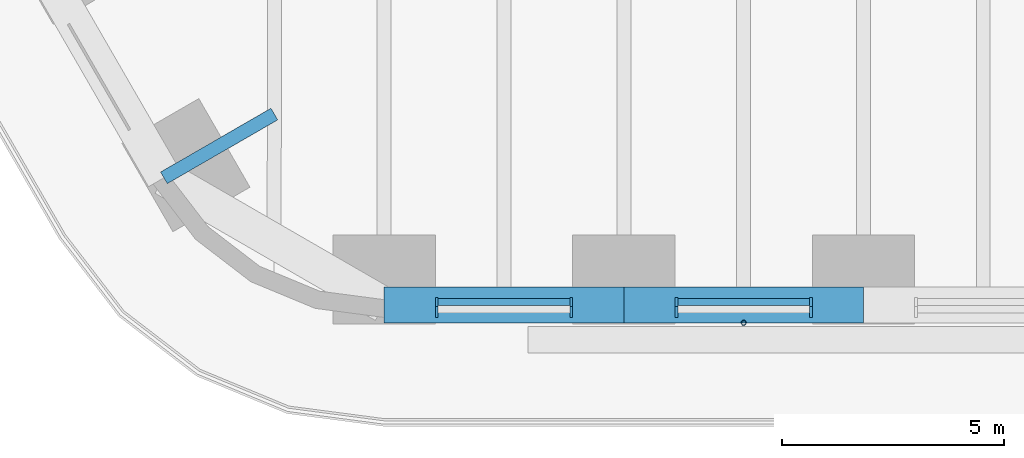
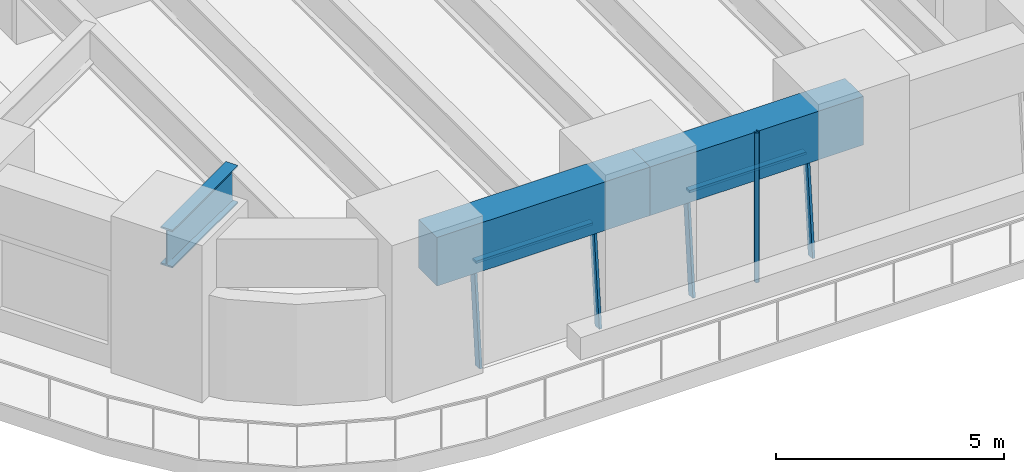
# One storey, part 2 of 23: 7 members, 3 beams, 2 elements without a shape of their own.
"""IFC4 building model written with IfcOpenShell, lengths in metres."""

from ifc_helpers import new_model, si_unit, direction, frame, origin, origin_2d, place, context, subcontext, project, spatial, rectangle, hollow_circle, i_section, extrude, material, material_profile, profile_set, type_object, element, aggregate, save


model = new_model("IFC4")

# Units and contexts
model_context = context("Model", 3, precision=1e-05, world=origin(), true_north=direction((0.0, 1.0)))
body_context = subcontext(model_context, "Body", "Model", "MODEL_VIEW")
ifc_project = project(units=[si_unit("LENGTHUNIT", "METRE"), si_unit("AREAUNIT", "SQUARE_METRE"), si_unit("VOLUMEUNIT", "CUBIC_METRE"), si_unit("PLANEANGLEUNIT", "RADIAN"), si_unit("MASSUNIT", "GRAM", prefix="KILO")], contexts=[model_context])

# Site, building, storey
site_placement = place(None, origin())
site = spatial("IfcSite", under=ifc_project, at=site_placement, CompositionType="ELEMENT")
building_placement = place(site_placement, origin())
building = spatial("IfcBuilding", under=site, at=building_placement, Name="Tarfa Lantern Tower", CompositionType="ELEMENT")
storey_placement = place(building_placement, frame((0.0, 0.0, 27.699951171875)))
storey = spatial("IfcBuildingStorey", under=building, at=storey_placement, Name="L05", CompositionType="ELEMENT", Elevation=27.699951171875)

# Curtain wall, members
ifc_material_1 = material(Name="Aluminium framed curtain wall", Category="aluminium")
curtain_wall_type = type_object("IfcCurtainWallType", Name="CW1 CANTED GLAZING LOW ZONE 2700", PredefinedType="USERDEFINED", material=ifc_material_1)
curtain_wall_1_placement = place(storey_placement, origin())
curtain_wall_1 = element("IfcCurtainWall", 1, at=curtain_wall_1_placement, inside=storey, type_object=curtain_wall_type, Name="CW1 S L05", ObjectType="CURTAIN WALL", PredefinedType="USERDEFINED")
ifc_material_2 = material(Name="Aluminium mullion", Category="aluminium")
ifc_material_profile_1 = material_profile(ifc_material_2, rectangle(XDim=0.06494140625, YDim=0.199951171875, at=origin_2d()), Name="AL MULLION 65x200")
ifc_profile_set_1 = profile_set([ifc_material_profile_1], Name="Aluminium mullion")
member_type_1 = type_object("IfcMemberType", Name="CWM1 MULLION 65x200", PredefinedType="MULLION", material=ifc_profile_set_1)
member_1_placement = place(storey_placement, frame((-14.9833984375, -33.89990234375, 0.0), z_axis=(0.0, 0.092199863775, 0.995740520979), x_axis=(-1.0, 0.0, 0.0)))
member_1 = element("IfcMember", 2, at=member_1_placement, type_object=member_type_1, Name="CW1 mullion 1", PredefinedType="MULLION", context=body_context, shape_type="SweptSolid", body=[
    extrude(rectangle(XDim=0.06494140625, YDim=0.199951171875, at=origin_2d()), origin(), (0.0, 0.0, 1.0), 2.71142578125),
])
member_2_placement = place(storey_placement, frame((-11.959716796875, -33.89990234375, 0.0), z_axis=(0.0, 0.092199863775, 0.995740520979), x_axis=(-1.0, 0.0, 0.0)))
member_2 = element("IfcMember", 3, at=member_2_placement, type_object=member_type_1, Name="CW1 mullion 2", PredefinedType="MULLION", context=body_context, shape_type="SweptSolid", body=[
    extrude(rectangle(XDim=0.06494140625, YDim=0.199951171875, at=origin_2d()), origin(), (0.0, 0.0, 1.0), 2.71142578125),
])

curtain_wall_2_placement = place(storey_placement, origin())
curtain_wall_2 = element("IfcCurtainWall", 4, at=curtain_wall_2_placement, inside=storey, type_object=curtain_wall_type, Name="CW1 S L05", ObjectType="CURTAIN WALL", PredefinedType="USERDEFINED")
member_3_placement = place(storey_placement, frame((-9.5947265625, -33.89990234375, 0.0), z_axis=(0.0, 0.092199863775, 0.995740520979), x_axis=(-1.0, 0.0, 0.0)))
member_3 = element("IfcMember", 5, at=member_3_placement, type_object=member_type_1, Name="CW1 mullion 1", PredefinedType="MULLION", context=body_context, shape_type="SweptSolid", body=[
    extrude(rectangle(XDim=0.06494140625, YDim=0.199951171875, at=origin_2d()), origin(), (0.0, 0.0, 1.0), 2.71142578125),
])
member_4_placement = place(storey_placement, frame((-6.571044921875, -33.89990234375, 0.0), z_axis=(0.0, 0.092199863775, 0.995740520979), x_axis=(-1.0, 0.0, 0.0)))
member_4 = element("IfcMember", 6, at=member_4_placement, type_object=member_type_1, Name="CW1 mullion 2", PredefinedType="MULLION", context=body_context, shape_type="SweptSolid", body=[
    extrude(rectangle(XDim=0.06494140625, YDim=0.199951171875, at=origin_2d()), origin(), (0.0, 0.0, 1.0), 2.71142578125),
])

# Member
ifc_material_3 = material(Name="Aluminium transom", Category="aluminium")
ifc_material_profile_2 = material_profile(ifc_material_3, rectangle(XDim=0.14990234375, YDim=0.06494140625, at=origin_2d()), Name="AL TRANSOM 150x65")
ifc_profile_set_2 = profile_set([ifc_material_profile_2], Name="Aluminium transom")
member_type_2 = type_object("IfcMemberType", Name="CWT1 TRANSOM 150x65", PredefinedType="USERDEFINED", material=ifc_profile_set_2)
member_5_placement = place(storey_placement, frame((-14.950927734375, -33.653076171875, 2.66748046875), z_axis=(1.0, 0.0, 0.0), x_axis=(0.0, 1.0, 0.0)))
member_5 = element("IfcMember", 7, at=member_5_placement, type_object=member_type_2, Name="CW1 transom 1.2", ObjectType="TRANSOM", PredefinedType="USERDEFINED", context=body_context, shape_type="SweptSolid", body=[
    extrude(rectangle(XDim=0.14990234375, YDim=0.06494140625, at=origin_2d()), origin(), (0.0, 0.0, 1.0), 2.958740234375),
])

aggregate(curtain_wall_1, [member_1, member_2, member_5])

member_6_placement = place(storey_placement, frame((-9.562255859375, -33.653076171875, 2.66748046875), z_axis=(1.0, 0.0, 0.0), x_axis=(0.0, 1.0, 0.0)))
member_6 = element("IfcMember", 8, at=member_6_placement, type_object=member_type_2, Name="CW1 transom 1.2", ObjectType="TRANSOM", PredefinedType="USERDEFINED", context=body_context, shape_type="SweptSolid", body=[
    extrude(rectangle(XDim=0.14990234375, YDim=0.06494140625, at=origin_2d()), origin(), (0.0, 0.0, 1.0), 2.958740234375),
])

aggregate(curtain_wall_2, [member_3, member_4, member_6])

# Beams
ifc_material_4 = material(Name="Concrete C80/95", Category="concrete")
ifc_material_profile_3 = material_profile(ifc_material_4, rectangle(XDim=0.800048828125, YDim=1.300048828125, at=origin_2d()), Name="RC 800x1300")
ifc_profile_set_3 = profile_set([ifc_material_profile_3], Name="Concrete C80/95")
beam_type_1 = type_object("IfcBeamType", Name="EB1 RC 800x1300", PredefinedType="SPANDREL", material=ifc_profile_set_3)
beam_1_placement = place(storey_placement, frame((-16.165771484375, -33.719970703125, 3.35009765625), z_axis=(1.0, 0.0, 0.0), x_axis=(0.0, 1.0, 0.0)))
element("IfcBeam", 9, at=beam_1_placement, inside=storey, type_object=beam_type_1, Name="Edge beam S0", PredefinedType="SPANDREL", context=body_context, shape_type="SweptSolid", body=[
    extrude(rectangle(XDim=0.800048828125, YDim=1.300048828125, at=origin_2d()), origin(), (0.0, 0.0, 1.0), 5.388671875),
])
beam_2_placement = place(storey_placement, frame((-10.777099609375, -33.719970703125, 3.35009765625), z_axis=(1.0, 0.0, 0.0), x_axis=(0.0, 1.0, 0.0)))
element("IfcBeam", 10, at=beam_2_placement, inside=storey, type_object=beam_type_1, Name="Edge beam S1", PredefinedType="SPANDREL", context=body_context, shape_type="SweptSolid", body=[
    extrude(rectangle(XDim=0.800048828125, YDim=1.300048828125, at=origin_2d()), origin(), (0.0, 0.0, 1.0), 5.388427734375),
])

# Member
ifc_material_5 = material(Name="Steel S355", Category="steel")
ifc_material_profile_4 = material_profile(ifc_material_5, hollow_circle(Radius=0.05712890625, WallThickness=0.00634765625, at=origin_2d()), Name="CHS114.3x6.3")
ifc_profile_set_4 = profile_set([ifc_material_profile_4], Name="Steel S355")
member_type_3 = type_object("IfcMemberType", Name="TR1 GREEN WALL TRELLIS CHS114.3x6.3", PredefinedType="USERDEFINED", material=ifc_profile_set_4)
member_7_placement = place(storey_placement, frame((-8.0830078125, -34.1201171875, 0.0), z_axis=(0.0, 0.0, 1.0), x_axis=(1.0, 0.0, 0.0)))
element("IfcMember", 11, at=member_7_placement, inside=storey, type_object=member_type_3, Name="Trellis post S 1", ObjectType="TRELLIS", PredefinedType="USERDEFINED", context=body_context, shape_type="SweptSolid", body=[
    extrude(hollow_circle(Radius=0.05712890625, WallThickness=0.00634765625, at=origin_2d()), origin(), (0.0, 0.0, 1.0), 4.0),
])

# Beam
ifc_material_6 = material(Name="Steel S460M", Category="steel")
ifc_material_profile_5 = material_profile(ifc_material_6, i_section(OverallWidth=0.302001953125, OverallDepth=1.008056640625, WebThickness=0.02099609375, FlangeThickness=0.0400390625, FilletRadius=0.030029296875, at=origin_2d()), Name="UB1016x305x349")
ifc_profile_set_5 = profile_set([ifc_material_profile_5], Name="Steel S460M")
beam_type_2 = type_object("IfcBeamType", Name="UB1016x305x349", PredefinedType="BEAM", material=ifc_profile_set_5)
beam_3_placement = place(storey_placement, frame((-21.119384765625, -30.860107421875, 3.49609375), z_axis=(0.866012580594, 0.500022209759, 0.0), x_axis=(-0.500022209759, 0.866012580594, 0.0)))
element("IfcBeam", 12, at=beam_3_placement, inside=storey, type_object=beam_type_2, Name="Floor beam SW6", PredefinedType="BEAM", context=body_context, shape_type="SweptSolid", body=[
    extrude(i_section(OverallWidth=0.302001953125, OverallDepth=1.008056640625, WebThickness=0.02099609375, FlangeThickness=0.0400390625, FilletRadius=0.030029296875, at=origin_2d()), origin(), (0.0, 0.0, 1.0), 2.866943359375),
])

save(model, "model.ifc")
